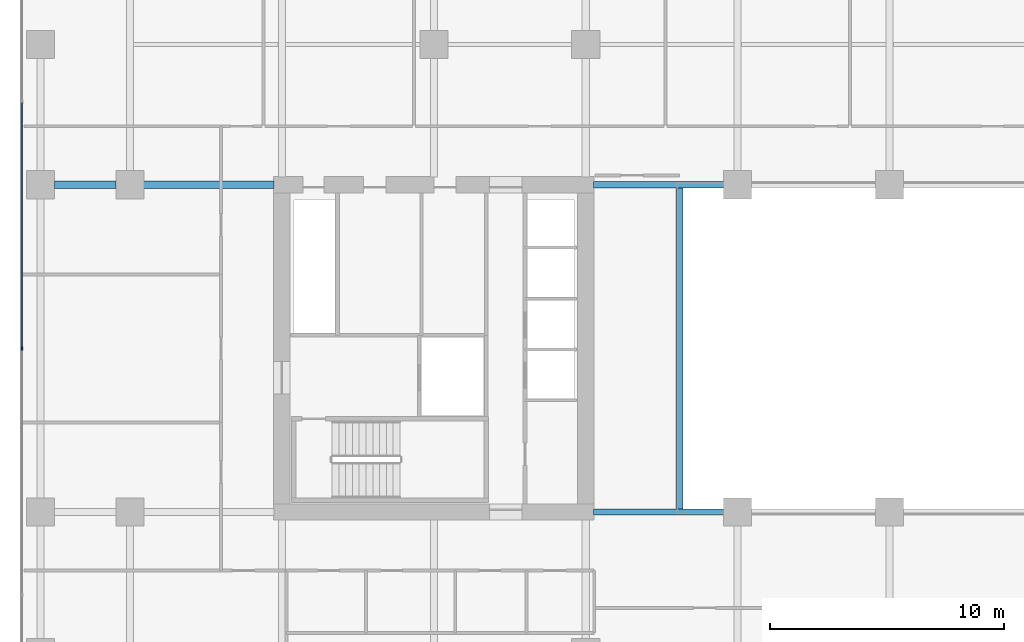
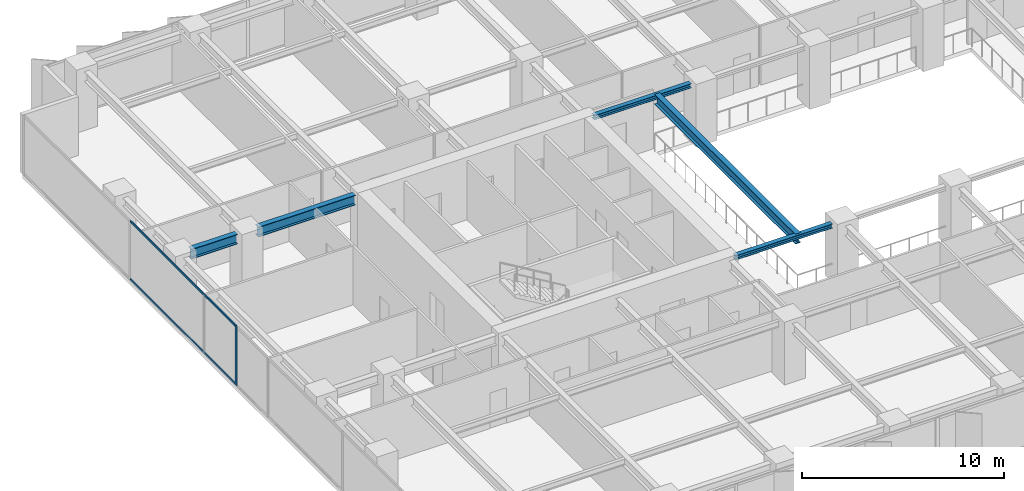
# One storey, part 4 of 20: 5 beams, 3 members, 1 element without a shape of its own.
"""IFC4 building model written with IfcOpenShell, lengths in metres."""

from ifc_helpers import new_model, si_unit, direction, frame, origin, origin_2d, place, context, subcontext, project, spatial, rectangle, i_section, extrude, material, layer, layer_set, material_profile, profile_set, type_object, element, aggregate, save


model = new_model("IFC4")

# Units and contexts
model_context = context("Model", 3, precision=1e-05, world=origin(), true_north=direction((0.0, 1.0)))
body_context = subcontext(model_context, "Body", "Model", "MODEL_VIEW")
ifc_project = project(units=[si_unit("LENGTHUNIT", "METRE"), si_unit("AREAUNIT", "SQUARE_METRE"), si_unit("VOLUMEUNIT", "CUBIC_METRE"), si_unit("PLANEANGLEUNIT", "RADIAN"), si_unit("MASSUNIT", "GRAM", prefix="KILO")], contexts=[model_context])

# Site, building, storey
site_placement = place(None, origin())
site = spatial("IfcSite", under=ifc_project, at=site_placement, CompositionType="ELEMENT")
building_placement = place(site_placement, origin())
building = spatial("IfcBuilding", under=site, at=building_placement, Name="Putna Gate Headquarters", CompositionType="ELEMENT")
storey_placement = place(building_placement, frame((0.0, 0.0, 116.39990234375)))
storey = spatial("IfcBuildingStorey", under=building, at=storey_placement, Name="L28", CompositionType="ELEMENT", Elevation=116.39990234375)

# Beams
ifc_material_1 = material(Name="Steel S355J2", Category="steel")
ifc_material_profile_1 = material_profile(ifc_material_1, i_section(OverallWidth=0.260009765625, OverallDepth=0.260009765625, WebThickness=0.010009765625, FlangeThickness=0.017578125, at=origin_2d()), Name="Steel S355J2")
ifc_profile_set_1 = profile_set([ifc_material_profile_1], Name="Steel S355J2")
beam_type_1 = type_object("IfcBeamType", Name="BM-ATRIUM-HEB260", PredefinedType="BEAM", material=ifc_profile_set_1)
for number, where, z_axis, x_axis, name in (
    (1, (26.3349609375, 19.0, 3.43505859375), (1.0, 0.0, 0.0), (0.0, 1.0, 0.0), "L28 Atrium Edge Beam AS1"),
    (2, (26.3349609375, 33.0, 3.43505859375), (1.0, 0.0, 0.0), (0.0, 1.0, 0.0), "L28 Atrium Edge Beam AN1"),
):
    element("IfcBeam", number, at=place(storey_placement, frame(where, z_axis=z_axis, x_axis=x_axis)), inside=storey, type_object=beam_type_1, Name=name, PredefinedType="BEAM", context=body_context, shape_type="SweptSolid", body=[
        extrude(i_section(OverallWidth=0.260009765625, OverallDepth=0.260009765625, WebThickness=0.010009765625, FlangeThickness=0.017578125, at=origin_2d()), origin(), (0.0, 0.0, 1.0), 5.5771484375),
    ])
ifc_material_profile_2 = material_profile(ifc_material_1, i_section(OverallWidth=0.300048828125, OverallDepth=0.60009765625, WebThickness=0.015380859375, FlangeThickness=0.030029296875, at=origin_2d()), Name="Steel S355J2")
ifc_profile_set_2 = profile_set([ifc_material_profile_2], Name="Steel S355J2")
beam_type_2 = type_object("IfcBeamType", Name="BM-GIRD-Z2-HEB600", PredefinedType="USERDEFINED", material=ifc_profile_set_2)
beam_1_placement = place(storey_placement, frame((3.26806640625, 33.0, 3.26513671875), z_axis=(1.0, 0.0, 0.0), x_axis=(0.0, 1.0, 0.0)))
element("IfcBeam", 3, at=beam_1_placement, inside=storey, type_object=beam_type_2, Name="L28 West Wing Girder Y33-1", ObjectType="GIRDER", PredefinedType="USERDEFINED", context=body_context, shape_type="SweptSolid", body=[
    extrude(i_section(OverallWidth=0.300048828125, OverallDepth=0.60009765625, WebThickness=0.015380859375, FlangeThickness=0.030029296875, at=origin_2d()), origin(), (0.0, 0.0, 1.0), 2.64404296875),
])
beam_2_placement = place(storey_placement, frame((7.087890625, 33.0, 3.26513671875), z_axis=(1.0, 0.0, 0.0), x_axis=(0.0, 1.0, 0.0)))
element("IfcBeam", 4, at=beam_2_placement, inside=storey, type_object=beam_type_2, Name="L28 West Wing Girder Y33-2", ObjectType="GIRDER", PredefinedType="USERDEFINED", context=body_context, shape_type="SweptSolid", body=[
    extrude(i_section(OverallWidth=0.300048828125, OverallDepth=0.60009765625, WebThickness=0.015380859375, FlangeThickness=0.030029296875, at=origin_2d()), origin(), (0.0, 0.0, 1.0), 5.5771484375),
])
beam_3_placement = place(storey_placement, frame((30.0, 19.010009765625, 3.26513671875), z_axis=(0.0, 1.0, 0.0), x_axis=(-1.0, 0.0, 0.0)))
element("IfcBeam", 5, at=beam_3_placement, inside=storey, type_object=beam_type_2, Name="L28 Atrium Trim Girder AW", ObjectType="GIRDER", PredefinedType="USERDEFINED", context=body_context, shape_type="SweptSolid", body=[
    extrude(i_section(OverallWidth=0.300048828125, OverallDepth=0.60009765625, WebThickness=0.015380859375, FlangeThickness=0.030029296875, at=origin_2d()), origin(), (0.0, 0.0, 1.0), 13.97998046875),
])

# Curtain wall, members
ifc_material_2 = material(Name="Anodised bronze aluminium curtain wall", Category="aluminium")
ifc_layer = layer(ifc_material_2, 0.159912109375)
ifc_layer_set = layer_set([ifc_layer], Name="Anodised bronze aluminium curtain wall")
curtain_wall_type = type_object("IfcCurtainWallType", Name="CW-SYS-Z2", PredefinedType="USERDEFINED", material=ifc_layer_set)
curtain_wall_placement = place(storey_placement, origin())
curtain_wall = element("IfcCurtainWall", 6, at=curtain_wall_placement, inside=storey, type_object=curtain_wall_type, Name="L28 West Curtain Wall", ObjectType="STICK CURTAIN WALL", PredefinedType="USERDEFINED")
ifc_material_3 = material(Name="Anodised bronze aluminium EN AW-6060", Category="aluminium")
ifc_material_profile_3 = material_profile(ifc_material_3, rectangle(XDim=0.06494140625, YDim=0.159912109375, at=origin_2d()), Name="Anodised bronze aluminium EN AW-6060")
ifc_profile_set_3 = profile_set([ifc_material_profile_3], Name="Anodised bronze aluminium EN AW-6060")
member_type_1 = type_object("IfcMemberType", Name="MULL-CWM-2", PredefinedType="MULLION", material=ifc_profile_set_3)
member_1_placement = place(storey_placement, frame((1.8798828125, 26.0, 0.0), z_axis=(0.0, 0.0, 1.0), x_axis=(-1.0, 0.0, 0.0)))
member_1 = element("IfcMember", 7, at=member_1_placement, type_object=member_type_1, Name="CWS-2 mullion 3", PredefinedType="MULLION", context=body_context, shape_type="SweptSolid", body=[
    extrude(rectangle(XDim=0.06494140625, YDim=0.159912109375, at=origin_2d()), origin(), (0.0, 0.0, 1.0), 3.565185546875),
])
ifc_material_profile_4 = material_profile(ifc_material_3, rectangle(XDim=0.06494140625, YDim=0.1201171875, at=origin_2d()), Name="Anodised bronze aluminium EN AW-6060")
ifc_profile_set_4 = profile_set([ifc_material_profile_4], Name="Anodised bronze aluminium EN AW-6060")
member_type_2 = type_object("IfcMemberType", Name="TRAN-CWT-2", PredefinedType="USERDEFINED", material=ifc_profile_set_4)
member_2_placement = place(storey_placement, frame((1.8798828125, 26.032470703125, 0.03271484375), z_axis=(0.0, 1.0, 0.0), x_axis=(-1.0, 0.0, 0.0)))
member_2 = element("IfcMember", 8, at=member_2_placement, type_object=member_type_2, Name="CWS-2 transom 3.1", ObjectType="TRANSOM", PredefinedType="USERDEFINED", context=body_context, shape_type="SweptSolid", body=[
    extrude(rectangle(XDim=0.06494140625, YDim=0.1201171875, at=origin_2d()), origin(), (0.0, 0.0, 1.0), 10.485107421875),
])
member_3_placement = place(storey_placement, frame((1.8798828125, 26.032470703125, 3.53271484375), z_axis=(0.0, 1.0, 0.0), x_axis=(-1.0, 0.0, 0.0)))
member_3 = element("IfcMember", 9, at=member_3_placement, type_object=member_type_2, Name="CWS-2 transom 3.2", ObjectType="TRANSOM", PredefinedType="USERDEFINED", context=body_context, shape_type="SweptSolid", body=[
    extrude(rectangle(XDim=0.06494140625, YDim=0.1201171875, at=origin_2d()), origin(), (0.0, 0.0, 1.0), 10.485107421875),
])
aggregate(curtain_wall, [member_1, member_2, member_3])

save(model, "model.ifc")
